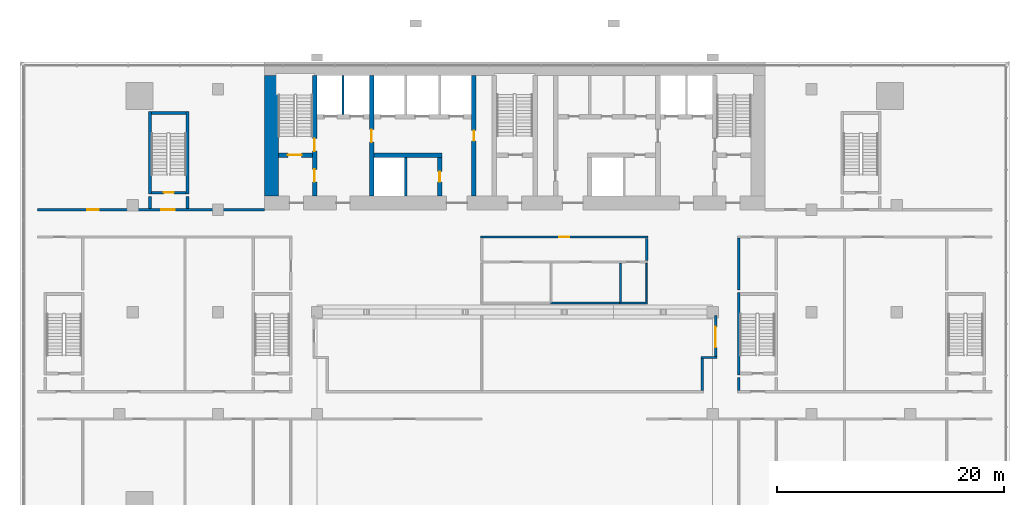
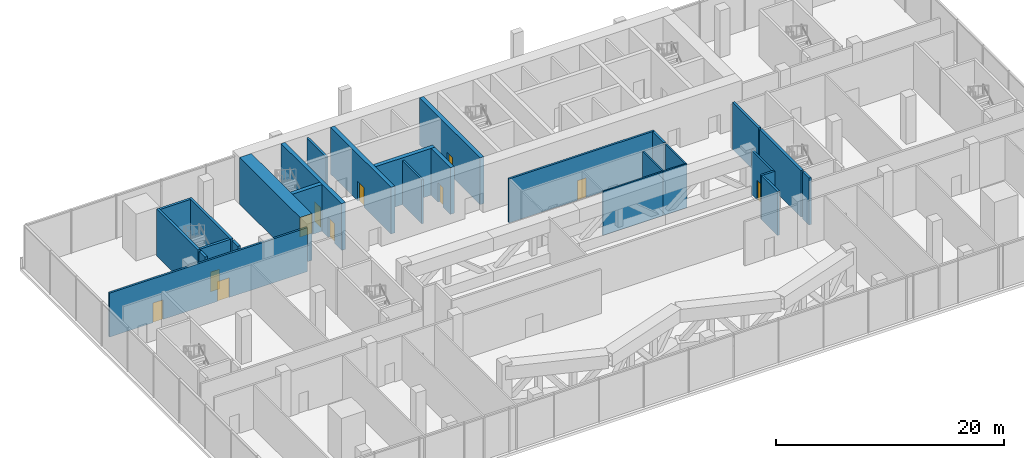
# One storey, part 14 of 22: 28 walls, 11 doors, 11 openings.
"""IFC4 building model written with IfcOpenShell, lengths in metres."""

import ifcopenshell
import ifcopenshell.guid

model = None  # the IFC model being written
_history = None  # IfcOwnerHistory: only IFC2X3 demands one
_inside = {}  # id of a spatial element -> (the spatial element, [elements in it])
_under = {}  # id of a project, library or spatial element -> (it, [spatial elements below it])
_declared = {}  # id of a project -> (the project, [libraries it declares])
_typed = {}  # id of a type object -> (the type object, [elements of that type])
_made_of = {}  # id of a material, layer set ... -> (it, [elements and type objects made of it])


def new_model(schema):
    """Start an empty IFC model of exactly this schema.

    Asked for "IFC4X3", IfcOpenShell would pick the latest addendum, in which some entities
    have other attributes; the version numbers below select the first issue.
    IFC2X3 requires an IfcOwnerHistory on every rooted entity: one is made here for all.
    """
    global model, _history
    if schema == "IFC4X3":
        model = ifcopenshell.file(schema_version=(4, 3, 0, 0))
    else:
        model = ifcopenshell.file(schema=schema)
    _inside.clear()
    _under.clear()
    _declared.clear()
    _typed.clear()
    _made_of.clear()
    _history = None
    if model.schema == "IFC2X3":
        org = make("IfcOrganization", Name="unknown")
        user = make(
            "IfcPersonAndOrganization",
            ThePerson=make("IfcPerson", FamilyName="unknown"),
            TheOrganization=org,
        )
        app = make(
            "IfcApplication",
            ApplicationDeveloper=org,
            Version="unknown",
            ApplicationFullName="unknown",
            ApplicationIdentifier="unknown",
        )
        _history = make(
            "IfcOwnerHistory",
            OwningUser=user,
            OwningApplication=app,
            ChangeAction="ADDED",
            CreationDate=0,
        )
    return model


def make(cls, **values):
    """One entity of the class cls with the attributes given. An attribute that is None is left unset."""
    return model.create_entity(
        cls, **{name: value for name, value in values.items() if value is not None}
    )


def rooted(cls, **values):
    """An entity with a GlobalId (a new one), such as an element, a storey or a relation."""
    return make(cls, GlobalId=ifcopenshell.guid.new(), OwnerHistory=_history, **values)


def si_unit(unit_type, name, prefix=None):
    """IfcSIUnit, for example si_unit("LENGTHUNIT", "METRE", prefix="MILLI")."""
    return make("IfcSIUnit", UnitType=unit_type, Prefix=prefix, Name=name)


def assignment(units):
    """IfcUnitAssignment: the units of a project."""
    return None if units is None else make("IfcUnitAssignment", Units=units)


def point(xyz):
    """IfcCartesianPoint."""
    return None if xyz is None else make("IfcCartesianPoint", Coordinates=xyz)


def direction(xyz):
    """IfcDirection."""
    return None if xyz is None else make("IfcDirection", DirectionRatios=xyz)


def frame(location, z_axis=None, x_axis=None):
    """IfcAxis2Placement3D, a coordinate frame: its origin and axes. An axis left out is left unset."""
    return make(
        "IfcAxis2Placement3D",
        Location=point(location),
        Axis=direction(z_axis),
        RefDirection=direction(x_axis),
    )


def frame_2d(location, x_axis=None):
    """IfcAxis2Placement2D, a coordinate frame in the plane: its origin and x axis."""
    return make(
        "IfcAxis2Placement2D", Location=point(location), RefDirection=direction(x_axis)
    )


def origin():
    """The frame at (0, 0, 0) with its axes left unset."""
    return frame((0.0, 0.0, 0.0))


def place(relative_to, where):
    """IfcLocalPlacement: puts the frame where relative to a parent placement (None: the world)."""
    return make(
        "IfcLocalPlacement", PlacementRelTo=relative_to, RelativePlacement=where
    )


def context(
    kind, dimensions, precision=None, world=None, true_north=None, identifier=None
):
    """IfcGeometricRepresentationContext, for example the 3D "Model" context."""
    return make(
        "IfcGeometricRepresentationContext",
        ContextIdentifier=identifier,
        ContextType=kind,
        CoordinateSpaceDimension=dimensions,
        Precision=precision,
        WorldCoordinateSystem=world,
        TrueNorth=true_north,
    )


def subcontext(parent, identifier, kind, view, scale=None):
    """IfcGeometricRepresentationSubContext, for example "Body" below "Model"."""
    return make(
        "IfcGeometricRepresentationSubContext",
        ContextIdentifier=identifier,
        ContextType=kind,
        ParentContext=parent,
        TargetScale=scale,
        TargetView=view,
    )


def project(units=None, contexts=None):
    """IfcProject with its units and contexts."""
    return rooted(
        "IfcProject",
        Name="project",
        RepresentationContexts=contexts,
        UnitsInContext=assignment(units),
    )


def spatial(cls, under=None, at=None, **own):
    """A site, building, storey or space (cls), placed at a placement, below another one or the project."""
    s = rooted(cls, ObjectPlacement=at, **own)
    if under is not None:
        _under.setdefault(under.id(), (under, []))[1].append(s)
    return s


def profile(cls, at=None, kind="AREA", **sizes):
    """A parametric profile (cls). Its sizes go by their IFC names, for example OverallWidth=200.0."""
    return make(cls, ProfileType=kind, Position=at, **sizes)


def rectangle(**sizes):
    """IfcRectangleProfileDef."""
    return profile("IfcRectangleProfileDef", **sizes)


def extrude(swept, where, along, depth):
    """IfcExtrudedAreaSolid: the profile swept, set in the frame where, extruded along a direction by depth."""
    return make(
        "IfcExtrudedAreaSolid",
        SweptArea=swept,
        Position=where,
        ExtrudedDirection=direction(along),
        Depth=depth,
    )


def shape(context_of_items, identifier, shape_type, items):
    """IfcShapeRepresentation: the items that make up one representation, for example the "Body"."""
    return make(
        "IfcShapeRepresentation",
        ContextOfItems=context_of_items,
        RepresentationIdentifier=identifier,
        RepresentationType=shape_type,
        Items=items,
    )


def material(Name=None, Category=None):
    """IfcMaterial."""
    return make("IfcMaterial", Name=Name, Category=Category)


def layer(
    of_material, thickness, ventilated=None, Name=None, Category=None, Priority=None
):
    """IfcMaterialLayer: one layer of a wall or slab, of a material (None: an air gap)."""
    return make(
        "IfcMaterialLayer",
        Material=of_material,
        LayerThickness=thickness,
        IsVentilated=ventilated,
        Name=Name,
        Category=Category,
        Priority=Priority,
    )


def layer_set(layers, Name=None):
    """IfcMaterialLayerSet."""
    return make("IfcMaterialLayerSet", MaterialLayers=layers, LayerSetName=Name)


def made_of(thing, what):
    """Note that an element or type object is made of a material, layer set ...; save() writes the relation."""
    if what is not None:
        _made_of.setdefault(what.id(), (what, []))[1].append(thing)
    return thing


def type_object(cls, material=None, **own):
    """A type object (cls), such as IfcWallType, which elements share."""
    return made_of(rooted(cls, **own), material)


def element(
    cls,
    number,
    at=None,
    inside=None,
    cuts=None,
    type_object=None,
    material=None,
    context=None,
    identifier="Body",
    shape_type=None,
    held_by="IfcProductDefinitionShape",
    body=None,
    shapes=None,
    **own,
):
    """One element of the class cls, such as IfcWall. Its Tag is "e" and its number.

    at: its placement. inside: the storey or other place that contains it. cuts: it is an
    opening in that element (IfcRelVoidsElement). A single representation is given by context,
    identifier, shape_type and body (its items); several are given by shapes. held_by: the class
    of the entity that holds the representations. save() writes the other relations.
    """
    e = rooted(cls, Tag="e%d" % number, ObjectPlacement=at, **own)
    if body is not None:
        shapes = [shape(context, identifier, shape_type, body)]
    if shapes is not None:
        e.Representation = make(held_by, Representations=shapes)
    if inside is not None:
        _inside.setdefault(inside.id(), (inside, []))[1].append(e)
    if cuts is not None:
        rooted(
            "IfcRelVoidsElement", RelatingBuildingElement=cuts, RelatedOpeningElement=e
        )
    if type_object is not None:
        _typed.setdefault(type_object.id(), (type_object, []))[1].append(e)
    return made_of(e, material)


def fill(opening, filler):
    """IfcRelFillsElement: the door or window that sits in an opening."""
    return rooted(
        "IfcRelFillsElement",
        RelatingOpeningElement=opening,
        RelatedBuildingElement=filler,
    )


def aggregate(whole, parts):
    """IfcRelAggregates: a whole, such as a stair, and the parts it consists of."""
    return rooted("IfcRelAggregates", RelatingObject=whole, RelatedObjects=parts)


def save(model, path):
    """Write the relations noted so far, then the file.

    IfcRelAggregates (storeys below a building ...), IfcRelContainedInSpatialStructure (elements
    in a storey), IfcRelDefinesByType, IfcRelAssociatesMaterial and IfcRelDeclares: one each for
    every whole, place, type object, material and project.
    """
    for whole, parts in _under.values():
        aggregate(whole, parts)
    for where, things in _inside.values():
        rooted(
            "IfcRelContainedInSpatialStructure",
            RelatedElements=things,
            RelatingStructure=where,
        )
    for kind, things in _typed.values():
        rooted("IfcRelDefinesByType", RelatedObjects=things, RelatingType=kind)
    for what, things in _made_of.values():
        rooted("IfcRelAssociatesMaterial", RelatedObjects=things, RelatingMaterial=what)
    for by, libraries in _declared.values():
        rooted("IfcRelDeclares", RelatingContext=by, RelatedDefinitions=libraries)
    model.write(path)


model = new_model("IFC4")

# Units and contexts
model_context = context("Model", 3, precision=1e-05, world=origin(), true_north=direction((0.0, 1.0)))
body_context = subcontext(model_context, "Body", "Model", "MODEL_VIEW")
ifc_project = project(units=[si_unit("LENGTHUNIT", "METRE"), si_unit("AREAUNIT", "SQUARE_METRE"), si_unit("VOLUMEUNIT", "CUBIC_METRE"), si_unit("PLANEANGLEUNIT", "RADIAN"), si_unit("MASSUNIT", "GRAM", prefix="KILO")], contexts=[model_context])

# Site, building, storey
site_placement = place(None, origin())
site = spatial("IfcSite", under=ifc_project, at=site_placement, CompositionType="ELEMENT")
building_placement = place(site_placement, origin())
building = spatial("IfcBuilding", under=site, at=building_placement, Name="Bicima Exchange Tower", CompositionType="ELEMENT")
storey_placement = place(building_placement, frame((0.0, 0.0, 20.0)))
storey = spatial("IfcBuildingStorey", under=building, at=storey_placement, Name="L03", CompositionType="ELEMENT", Elevation=20.0)

# Walls
ifc_material_1 = material(Name="Gypsum board partition")
ifc_layer_1 = layer(ifc_material_1, 0.199951171875)
ifc_layer_set_1 = layer_set([ifc_layer_1], Name="Gypsum board partition")
wall_type_1 = type_object("IfcWallType", Name="Fire-rated gypsum partition 200 EI120", PredefinedType="PARTITIONING", material=ifc_layer_set_1)
for number, where, z_axis, x_axis, name in (
    (1, (-15.10009765625, -4.60009765625, 0.0), (0.0, 0.0, 1.0), (0.0, 1.0, 0.0), "partition wall 9"),
    (2, (-9.60009765625, -11.800048828125, 0.0), (0.0, 0.0, 1.0), (0.0, 1.0, 0.0), "partition wall 11"),
):
    element("IfcWall", number, at=place(storey_placement, frame(where, z_axis=z_axis, x_axis=x_axis)), inside=storey, type_object=wall_type_1, Name=name, PredefinedType="PARTITIONING", context=body_context, shape_type="SweptSolid", body=[
        extrude(rectangle(XDim=3.400146484375, YDim=0.199951171875, at=frame_2d((1.7001953125, 0.0))), origin(), (0.0, 0.0, 1.0), 4.699951171875),
    ])
ifc_layer_2 = layer(ifc_material_1, 0.199951171875)
ifc_layer_set_2 = layer_set([ifc_layer_2], Name="Gypsum board partition")
wall_type_2 = type_object("IfcWallType", Name="Fire-rated gypsum partition 200 EI60", PredefinedType="PARTITIONING", material=ifc_layer_set_2)
wall_1_placement = place(storey_placement, frame((16.39990234375, -26.0, 0.0), z_axis=(0.0, 0.0, 1.0), x_axis=(1.0, 0.0, 0.0)))
element("IfcWall", 3, at=wall_1_placement, inside=storey, type_object=wall_type_2, Name="partition wall 11", PredefinedType="PARTITIONING", context=body_context, shape_type="SweptSolid", body=[
    extrude(rectangle(XDim=1.3701171875, YDim=0.199951171875, at=frame_2d((0.68505859375, 0.0))), origin(), (0.0, 0.0, 1.0), 4.699951171875),
])

# Wall, opening, door
wall_2_placement = place(storey_placement, frame((-3.0, -15.39990234375, 0.0), z_axis=(0.0, 0.0, 1.0), x_axis=(1.0, 0.0, 0.0)))
wall_2 = element("IfcWall", 4, at=wall_2_placement, inside=storey, type_object=wall_type_2, Name="partition wall 21", PredefinedType="PARTITIONING", context=body_context, shape_type="SweptSolid", body=[
    extrude(rectangle(XDim=14.699951171875, YDim=0.199951171875, at=frame_2d((7.35009765625, 0.0))), origin(), (0.0, 0.0, 1.0), 4.699951171875),
])
opening_1_placement = place(wall_2_placement, frame((6.89990234375, 0.0, 0.0)))
opening_1 = element("IfcOpeningElement", 5, at=opening_1_placement, cuts=wall_2, Name="Opening L03-025", PredefinedType="OPENING", context=body_context, shape_type="SweptSolid", body=[
    extrude(rectangle(XDim=0.89990234375, YDim=2.10009765625, at=frame_2d((0.449951171875, 1.050048828125))), frame((0.0, 0.11181640625, 0.0), z_axis=(0.0, -1.0, 0.0), x_axis=(1.0, 0.0, 0.0)), (0.0, 0.0, 1.0), 0.223876953125),
])
ifc_material_2 = material(Name="Steel fire door leaf", Category="steel")
door_type_1 = type_object("IfcDoorType", Name="Door 900 swing FD30S", OperationType="SINGLE_SWING_LEFT", PredefinedType="DOOR", material=ifc_material_2)
door_1_placement = place(opening_1_placement, frame((0.89990234375, 0.0, 0.0), z_axis=(0.0, 0.0, 1.0), x_axis=(-1.0, 0.0, 0.0)))
door_1 = element("IfcDoor", 6, at=door_1_placement, inside=storey, type_object=door_type_1, Name="Door", OperationType="SINGLE_SWING_LEFT", OverallHeight=2.10009765625, OverallWidth=0.89990234375, PredefinedType="DOOR", context=body_context, shape_type="SweptSolid", body=[
    extrude(rectangle(XDim=0.89990234375, YDim=2.10009765625, at=frame_2d((0.449951171875, 1.050048828125))), frame((0.0, 0.02490234375, 0.0), z_axis=(0.0, -1.0, 0.0), x_axis=(1.0, 0.0, 0.0)), (0.0, 0.0, 1.0), 0.050048828125),
])
fill(opening_1, door_1)

# Wall, openings, doors
wall_3_placement = place(storey_placement, frame((-42.0, -13.0, 0.0), z_axis=(0.0, 0.0, 1.0), x_axis=(1.0, 0.0, 0.0)))
wall_3 = element("IfcWall", 7, at=wall_3_placement, inside=storey, type_object=wall_type_2, Name="partition wall 23", PredefinedType="PARTITIONING", context=body_context, shape_type="SweptSolid", body=[
    extrude(rectangle(XDim=20.0, YDim=0.199951171875, at=frame_2d((10.0, 0.0))), origin(), (0.0, 0.0, 1.0), 4.699951171875),
])
opening_2_placement = place(wall_3_placement, frame((10.89990234375, 0.0, 0.0)))
opening_2 = element("IfcOpeningElement", 8, at=opening_2_placement, cuts=wall_3, Name="Opening L03-009", PredefinedType="OPENING", context=body_context, shape_type="SweptSolid", body=[
    extrude(rectangle(XDim=1.199951171875, YDim=2.10009765625, at=frame_2d((0.60009765625, 1.050048828125))), frame((0.0, 0.11181640625, 0.0), z_axis=(0.0, -1.0, 0.0), x_axis=(1.0, 0.0, 0.0)), (0.0, 0.0, 1.0), 0.223876953125),
])
opening_3_placement = place(wall_3_placement, frame((4.39990234375, 0.0, 0.0)))
opening_3 = element("IfcOpeningElement", 9, at=opening_3_placement, cuts=wall_3, Name="Opening L03-013", PredefinedType="OPENING", context=body_context, shape_type="SweptSolid", body=[
    extrude(rectangle(XDim=1.0, YDim=2.10009765625, at=frame_2d((0.5, 1.050048828125))), frame((0.0, 0.11181640625, 0.0), z_axis=(0.0, -1.0, 0.0), x_axis=(1.0, 0.0, 0.0)), (0.0, 0.0, 1.0), 0.223876953125),
])
door_type_2 = type_object("IfcDoorType", Name="Door 1000 swing FD30S", OperationType="SINGLE_SWING_LEFT", PredefinedType="DOOR", material=ifc_material_2)
door_2_placement = place(opening_3_placement, origin())
door_2 = element("IfcDoor", 10, at=door_2_placement, inside=storey, type_object=door_type_2, Name="Door", OperationType="SINGLE_SWING_LEFT", OverallHeight=2.10009765625, OverallWidth=1.0, PredefinedType="DOOR", context=body_context, shape_type="SweptSolid", body=[
    extrude(rectangle(XDim=1.0, YDim=2.10009765625, at=frame_2d((0.5, 1.050048828125))), frame((0.0, 0.02490234375, 0.0), z_axis=(0.0, -1.0, 0.0), x_axis=(1.0, 0.0, 0.0)), (0.0, 0.0, 1.0), 0.050048828125),
])
fill(opening_3, door_2)
door_type_3 = type_object("IfcDoorType", Name="Door 1200 swing FD30S", OperationType="SINGLE_SWING_LEFT", PredefinedType="DOOR", material=ifc_material_2)
door_3_placement = place(opening_2_placement, origin())
door_3 = element("IfcDoor", 11, at=door_3_placement, inside=storey, type_object=door_type_3, Name="Door", OperationType="SINGLE_SWING_RIGHT", OverallHeight=2.10009765625, OverallWidth=1.199951171875, PredefinedType="DOOR", context=body_context, shape_type="SweptSolid", body=[
    extrude(rectangle(XDim=1.199951171875, YDim=2.10009765625, at=frame_2d((0.60009765625, 1.050048828125))), frame((0.0, 0.02490234375, 0.0), z_axis=(0.0, -1.0, 0.0), x_axis=(1.0, 0.0, 0.0)), (0.0, 0.0, 1.0), 0.050048828125),
])
fill(opening_2, door_3)

# Walls
wall_4_placement = place(storey_placement, frame((11.60009765625, -17.47998046875, 0.0), z_axis=(0.0, 0.0, 1.0), x_axis=(0.0, 1.0, 0.0)))
element("IfcWall", 12, at=wall_4_placement, inside=storey, type_object=wall_type_2, Name="partition wall 50", PredefinedType="PARTITIONING", context=body_context, shape_type="SweptSolid", body=[
    extrude(rectangle(XDim=1.9599609375, YDim=0.199951171875, at=frame_2d((0.97998046875, 0.0))), origin(), (0.0, 0.0, 1.0), 4.699951171875),
])
wall_5_placement = place(storey_placement, frame((16.5, -28.89990234375, 0.0), z_axis=(0.0, 0.0, 1.0), x_axis=(0.0, 1.0, 0.0)))
element("IfcWall", 13, at=wall_5_placement, inside=storey, type_object=wall_type_2, Name="partition wall 51", PredefinedType="PARTITIONING", context=body_context, shape_type="SweptSolid", body=[
    extrude(rectangle(XDim=2.7998046875, YDim=0.199951171875, at=frame_2d((1.39990234375, 0.0))), origin(), (0.0, 0.0, 1.0), 4.699951171875),
])

# Wall, opening, door
wall_6_placement = place(storey_placement, frame((17.669921875, -25.89990234375, 0.0), z_axis=(0.0, 0.0, 1.0), x_axis=(0.0, 1.0, 0.0)))
wall_6 = element("IfcWall", 14, at=wall_6_placement, inside=storey, type_object=wall_type_2, Name="partition wall 52", PredefinedType="PARTITIONING", context=body_context, shape_type="SweptSolid", body=[
    extrude(rectangle(XDim=3.60986328125, YDim=0.199951171875, at=frame_2d((1.804931640625, 0.0))), origin(), (0.0, 0.0, 1.0), 4.699951171875),
])
opening_4_placement = place(wall_6_placement, frame((0.800048828125, 0.0, 0.0)))
opening_4 = element("IfcOpeningElement", 15, at=opening_4_placement, cuts=wall_6, Name="Opening L03-029", PredefinedType="OPENING", context=body_context, shape_type="SweptSolid", body=[
    extrude(rectangle(XDim=1.800048828125, YDim=2.10009765625, at=frame_2d((0.89990234375, 1.050048828125))), frame((0.0, 0.11181640625, 0.0), z_axis=(0.0, -1.0, 0.0), x_axis=(1.0, 0.0, 0.0)), (0.0, 0.0, 1.0), 0.223876953125),
])
door_type_4 = type_object("IfcDoorType", Name="Door 1800 double swing FD30S", OperationType="DOUBLE_DOOR_SINGLE_SWING", PredefinedType="DOOR", material=ifc_material_2)
door_4_placement = place(opening_4_placement, origin())
door_4 = element("IfcDoor", 16, at=door_4_placement, inside=storey, type_object=door_type_4, Name="Door", OperationType="SINGLE_SWING_LEFT", OverallHeight=2.10009765625, OverallWidth=1.800048828125, PredefinedType="DOOR", context=body_context, shape_type="SweptSolid", body=[
    extrude(rectangle(XDim=1.800048828125, YDim=2.10009765625, at=frame_2d((0.89990234375, 1.050048828125))), frame((0.0, 0.02490234375, 0.0), z_axis=(0.0, -1.0, 0.0), x_axis=(1.0, 0.0, 0.0)), (0.0, 0.0, 1.0), 0.050048828125),
])
fill(opening_4, door_4)

# Walls
ifc_layer_3 = layer(ifc_material_1, 0.14990234375)
ifc_layer_set_3 = layer_set([ifc_layer_3], Name="Gypsum board partition")
wall_type_3 = type_object("IfcWallType", Name="Gypsum partition 150", PredefinedType="PARTITIONING", material=ifc_layer_set_3)
wall_7_placement = place(storey_placement, frame((3.14501953125, -21.199951171875, 0.0), z_axis=(0.0, 0.0, 1.0), x_axis=(1.0, 0.0, 0.0)))
element("IfcWall", 17, at=wall_7_placement, inside=storey, type_object=wall_type_3, Name="partition wall 13", PredefinedType="PARTITIONING", context=body_context, shape_type="SweptSolid", body=[
    extrude(rectangle(XDim=6.2099609375, YDim=0.14990234375, at=frame_2d((3.10498046875, 0.0))), origin(), (0.0, 0.0, 1.0), 4.699951171875),
])
wall_8_placement = place(storey_placement, frame((9.2451171875, -21.199951171875, 0.0), z_axis=(0.0, 0.0, 1.0), x_axis=(1.0, 0.0, 0.0)))
element("IfcWall", 18, at=wall_8_placement, inside=storey, type_object=wall_type_3, Name="partition wall 14", PredefinedType="PARTITIONING", context=body_context, shape_type="SweptSolid", body=[
    extrude(rectangle(XDim=2.429931640625, YDim=0.14990234375, at=frame_2d((1.21484375, 0.0))), origin(), (0.0, 0.0, 1.0), 4.699951171875),
])
wall_9_placement = place(storey_placement, frame((9.300048828125, -21.125, 0.0), z_axis=(0.0, 0.0, 1.0), x_axis=(0.0, 1.0, 0.0)))
element("IfcWall", 19, at=wall_9_placement, inside=storey, type_object=wall_type_3, Name="partition wall 48", PredefinedType="PARTITIONING", context=body_context, shape_type="SweptSolid", body=[
    extrude(rectangle(XDim=3.425048828125, YDim=0.14990234375, at=frame_2d((1.71240234375, 0.0))), origin(), (0.0, 0.0, 1.0), 4.699951171875),
])
wall_10_placement = place(storey_placement, frame((11.60009765625, -21.125, 0.0), z_axis=(0.0, 0.0, 1.0), x_axis=(0.0, 1.0, 0.0)))
element("IfcWall", 20, at=wall_10_placement, inside=storey, type_object=wall_type_3, Name="partition wall 49", PredefinedType="PARTITIONING", context=body_context, shape_type="SweptSolid", body=[
    extrude(rectangle(XDim=3.405029296875, YDim=0.14990234375, at=frame_2d((1.70263671875, 0.0))), origin(), (0.0, 0.0, 1.0), 4.699951171875),
])
ifc_material_3 = material(Name="Concrete C60/75", Category="concrete")
ifc_layer_4 = layer(ifc_material_3, 1.199951171875)
ifc_layer_set_4 = layer_set([ifc_layer_4], Name="Concrete C60/75")
wall_type_4 = type_object("IfcWallType", Name="RC core wall 1200 C60/75", PredefinedType="SHEAR", material=ifc_layer_set_4)
wall_11_placement = place(storey_placement, frame((-21.39990234375, -11.800048828125, 0.0), z_axis=(0.0, 0.0, 1.0), x_axis=(0.0, 1.0, 0.0)))
element("IfcWall", 21, at=wall_11_placement, inside=storey, type_object=wall_type_4, Name="Core wall west", PredefinedType="SHEAR", context=body_context, shape_type="SweptSolid", body=[
    extrude(rectangle(XDim=10.60009765625, YDim=1.199951171875, at=frame_2d((5.300048828125, 0.0))), origin(), (0.0, 0.0, 1.0), 5.0),
])
ifc_material_4 = material(Name="Concrete C50/60", Category="concrete")
ifc_layer_5 = layer(ifc_material_4, 0.25)
ifc_layer_set_5 = layer_set([ifc_layer_5], Name="Concrete C50/60")
wall_type_5 = type_object("IfcWallType", Name="RC core wall 250 C50/60", PredefinedType="SHEAR", material=ifc_layer_set_5)
for number, where, z_axis, x_axis, name in (
    (22, (-32.10009765625, -12.89990234375, 0.0), (0.0, 0.0, 1.0), (0.0, 1.0, 0.0), "stair wall 34"),
    (23, (-28.800048828125, -12.89990234375, 0.0), (0.0, 0.0, 1.0), (0.0, 1.0, 0.0), "stair wall 37"),
):
    element("IfcWall", number, at=place(storey_placement, frame(where, z_axis=z_axis, x_axis=x_axis)), inside=storey, type_object=wall_type_5, Name=name, PredefinedType="SHEAR", context=body_context, shape_type="SweptSolid", body=[
        extrude(rectangle(XDim=1.0498046875, YDim=0.25, at=frame_2d((0.52490234375, 0.0))), origin(), (0.0, 0.0, 1.0), 5.0),
    ])
wall_12_placement = place(storey_placement, frame((19.699951171875, -28.89990234375, 0.0), z_axis=(0.0, 0.0, 1.0), x_axis=(0.0, 1.0, 0.0)))
element("IfcWall", 24, at=wall_12_placement, inside=storey, type_object=wall_type_5, Name="stair wall 54", PredefinedType="SHEAR", context=body_context, shape_type="SweptSolid", body=[
    extrude(rectangle(XDim=1.14990234375, YDim=0.25, at=frame_2d((0.574951171875, 0.0))), origin(), (0.0, 0.0, 1.0), 5.0),
])
wall_13_placement = place(storey_placement, frame((19.699951171875, -20.050048828125, 0.0), z_axis=(0.0, 0.0, 1.0), x_axis=(0.0, 1.0, 0.0)))
element("IfcWall", 25, at=wall_13_placement, inside=storey, type_object=wall_type_5, Name="stair wall 54", PredefinedType="SHEAR", context=body_context, shape_type="SweptSolid", body=[
    extrude(rectangle(XDim=4.550048828125, YDim=0.25, at=frame_2d((2.27490234375, 0.0))), origin(), (0.0, 0.0, 1.0), 5.0),
])

# Wall, opening, door
ifc_layer_6 = layer(ifc_material_4, 0.39990234375)
ifc_layer_set_6 = layer_set([ifc_layer_6], Name="Concrete C50/60")
wall_type_6 = type_object("IfcWallType", Name="RC core wall 400 C50/60", PredefinedType="SHEAR", material=ifc_layer_set_6)
wall_14_placement = place(storey_placement, frame((-20.800048828125, -8.199951171875, 0.0), z_axis=(0.0, 0.0, 1.0), x_axis=(1.0, 0.0, 0.0)))
wall_14 = element("IfcWall", 26, at=wall_14_placement, inside=storey, type_object=wall_type_6, Name="stair wall 1", PredefinedType="SHEAR", context=body_context, shape_type="SweptSolid", body=[
    extrude(rectangle(XDim=3.0, YDim=0.39990234375, at=frame_2d((1.5, 0.0))), origin(), (0.0, 0.0, 1.0), 5.0),
])
opening_5_placement = place(wall_14_placement, frame((0.85009765625, 0.0, 0.0)))
opening_5 = element("IfcOpeningElement", 27, at=opening_5_placement, cuts=wall_14, Name="Opening L03-C01", PredefinedType="OPENING", context=body_context, shape_type="SweptSolid", body=[
    extrude(rectangle(XDim=1.199951171875, YDim=2.10009765625, at=frame_2d((0.60009765625, 1.050048828125))), frame((0.0, 0.2119140625, 0.0), z_axis=(0.0, -1.0, 0.0), x_axis=(1.0, 0.0, 0.0)), (0.0, 0.0, 1.0), 0.423828125),
])
door_type_5 = type_object("IfcDoorType", Name="Door 1200 swing FD60S", OperationType="SINGLE_SWING_LEFT", PredefinedType="DOOR", material=ifc_material_2)
door_5_placement = place(opening_5_placement, origin())
door_5 = element("IfcDoor", 28, at=door_5_placement, inside=storey, type_object=door_type_5, Name="Core door", OperationType="SINGLE_SWING_LEFT", OverallHeight=2.10009765625, OverallWidth=1.199951171875, PredefinedType="DOOR", context=body_context, shape_type="SweptSolid", body=[
    extrude(rectangle(XDim=1.199951171875, YDim=2.10009765625, at=frame_2d((0.60009765625, 1.050048828125))), frame((0.0, 0.02490234375, 0.0), z_axis=(0.0, -1.0, 0.0), x_axis=(1.0, 0.0, 0.0)), (0.0, 0.0, 1.0), 0.050048828125),
])
fill(opening_5, door_5)

# Wall, openings, doors
wall_15_placement = place(storey_placement, frame((-17.60009765625, -11.800048828125, 0.0), z_axis=(0.0, 0.0, 1.0), x_axis=(0.0, 1.0, 0.0)))
wall_15 = element("IfcWall", 29, at=wall_15_placement, inside=storey, type_object=wall_type_6, Name="stair wall 8", PredefinedType="SHEAR", context=body_context, shape_type="SweptSolid", body=[
    extrude(rectangle(XDim=10.60009765625, YDim=0.39990234375, at=frame_2d((5.300048828125, 0.0))), origin(), (0.0, 0.0, 1.0), 5.0),
])
opening_6_placement = place(wall_15_placement, frame((1.25, 0.0, 0.0)))
opening_6 = element("IfcOpeningElement", 30, at=opening_6_placement, cuts=wall_15, Name="Opening L03-C02", PredefinedType="OPENING", context=body_context, shape_type="SweptSolid", body=[
    extrude(rectangle(XDim=1.10009765625, YDim=2.10009765625, at=frame_2d((0.550048828125, 1.050048828125))), frame((0.0, 0.2119140625, 0.0), z_axis=(0.0, -1.0, 0.0), x_axis=(1.0, 0.0, 0.0)), (0.0, 0.0, 1.0), 0.423828125),
])
opening_7_placement = place(wall_15_placement, frame((3.949951171875, 0.0, 0.0)))
opening_7 = element("IfcOpeningElement", 31, at=opening_7_placement, cuts=wall_15, Name="Opening L03-C06", PredefinedType="OPENING", context=body_context, shape_type="SweptSolid", body=[
    extrude(rectangle(XDim=1.10009765625, YDim=2.10009765625, at=frame_2d((0.550048828125, 1.050048828125))), frame((0.0, 0.2119140625, 0.0), z_axis=(0.0, -1.0, 0.0), x_axis=(1.0, 0.0, 0.0)), (0.0, 0.0, 1.0), 0.423828125),
])
door_type_6 = type_object("IfcDoorType", Name="Door 1100 swing FD60S", OperationType="SINGLE_SWING_LEFT", PredefinedType="DOOR", material=ifc_material_2)
door_6_placement = place(opening_6_placement, frame((1.10009765625, 0.0, 0.0), z_axis=(0.0, 0.0, 1.0), x_axis=(-1.0, 0.0, 0.0)))
door_6 = element("IfcDoor", 32, at=door_6_placement, inside=storey, type_object=door_type_6, Name="Core door", OperationType="SINGLE_SWING_LEFT", OverallHeight=2.10009765625, OverallWidth=1.10009765625, PredefinedType="DOOR", context=body_context, shape_type="SweptSolid", body=[
    extrude(rectangle(XDim=1.10009765625, YDim=2.10009765625, at=frame_2d((0.550048828125, 1.050048828125))), frame((0.0, 0.02490234375, 0.0), z_axis=(0.0, -1.0, 0.0), x_axis=(1.0, 0.0, 0.0)), (0.0, 0.0, 1.0), 0.050048828125),
])
fill(opening_6, door_6)
door_7_placement = place(opening_7_placement, frame((1.10009765625, 0.0, 0.0), z_axis=(0.0, 0.0, 1.0), x_axis=(-1.0, 0.0, 0.0)))
door_7 = element("IfcDoor", 33, at=door_7_placement, inside=storey, type_object=door_type_6, Name="Core door", OperationType="SINGLE_SWING_LEFT", OverallHeight=2.10009765625, OverallWidth=1.10009765625, PredefinedType="DOOR", context=body_context, shape_type="SweptSolid", body=[
    extrude(rectangle(XDim=1.10009765625, YDim=2.10009765625, at=frame_2d((0.550048828125, 1.050048828125))), frame((0.0, 0.02490234375, 0.0), z_axis=(0.0, -1.0, 0.0), x_axis=(1.0, 0.0, 0.0)), (0.0, 0.0, 1.0), 0.050048828125),
])
fill(opening_7, door_7)

# Wall
ifc_layer_7 = layer(ifc_material_3, 0.39990234375)
ifc_layer_set_7 = layer_set([ifc_layer_7], Name="Concrete C60/75")
wall_type_7 = type_object("IfcWallType", Name="RC core wall 400 C60/75", PredefinedType="SHEAR", material=ifc_layer_set_7)
wall_16_placement = place(storey_placement, frame((-12.39990234375, -8.199951171875, 0.0), z_axis=(0.0, 0.0, 1.0), x_axis=(1.0, 0.0, 0.0)))
element("IfcWall", 34, at=wall_16_placement, inside=storey, type_object=wall_type_7, Name="shear wall 2", PredefinedType="SHEAR", context=body_context, shape_type="SweptSolid", body=[
    extrude(rectangle(XDim=6.0, YDim=0.39990234375, at=frame_2d((3.0, 0.0))), origin(), (0.0, 0.0, 1.0), 5.0),
])

# Wall, opening, door
wall_17_placement = place(storey_placement, frame((-12.60009765625, -11.800048828125, 0.0), z_axis=(0.0, 0.0, 1.0), x_axis=(0.0, 1.0, 0.0)))
wall_17 = element("IfcWall", 35, at=wall_17_placement, inside=storey, type_object=wall_type_7, Name="shear wall 10", PredefinedType="SHEAR", context=body_context, shape_type="SweptSolid", body=[
    extrude(rectangle(XDim=10.60009765625, YDim=0.39990234375, at=frame_2d((5.300048828125, 0.0))), origin(), (0.0, 0.0, 1.0), 5.0),
])
opening_8_placement = place(wall_17_placement, frame((4.75, 0.0, 0.0)))
opening_8 = element("IfcOpeningElement", 36, at=opening_8_placement, cuts=wall_17, Name="Opening L03-C07", PredefinedType="OPENING", context=body_context, shape_type="SweptSolid", body=[
    extrude(rectangle(XDim=1.10009765625, YDim=2.10009765625, at=frame_2d((0.550048828125, 1.050048828125))), frame((0.0, 0.2119140625, 0.0), z_axis=(0.0, -1.0, 0.0), x_axis=(1.0, 0.0, 0.0)), (0.0, 0.0, 1.0), 0.423828125),
])
door_8_placement = place(opening_8_placement, origin())
door_8 = element("IfcDoor", 37, at=door_8_placement, inside=storey, type_object=door_type_6, Name="Core door", OperationType="SINGLE_SWING_LEFT", OverallHeight=2.10009765625, OverallWidth=1.10009765625, PredefinedType="DOOR", context=body_context, shape_type="SweptSolid", body=[
    extrude(rectangle(XDim=1.10009765625, YDim=2.10009765625, at=frame_2d((0.550048828125, 1.050048828125))), frame((0.0, 0.02490234375, 0.0), z_axis=(0.0, -1.0, 0.0), x_axis=(1.0, 0.0, 0.0)), (0.0, 0.0, 1.0), 0.050048828125),
])
fill(opening_8, door_8)

wall_18_placement = place(storey_placement, frame((-6.60009765625, -11.800048828125, 0.0), z_axis=(0.0, 0.0, 1.0), x_axis=(0.0, 1.0, 0.0)))
wall_18 = element("IfcWall", 38, at=wall_18_placement, inside=storey, type_object=wall_type_7, Name="shear wall 13", PredefinedType="SHEAR", context=body_context, shape_type="SweptSolid", body=[
    extrude(rectangle(XDim=3.400146484375, YDim=0.39990234375, at=frame_2d((1.7001953125, 0.0))), origin(), (0.0, 0.0, 1.0), 5.0),
])
opening_9_placement = place(wall_18_placement, frame((1.25, 0.0, 0.0)))
opening_9 = element("IfcOpeningElement", 39, at=opening_9_placement, cuts=wall_18, Name="Opening L03-C15", PredefinedType="OPENING", context=body_context, shape_type="SweptSolid", body=[
    extrude(rectangle(XDim=0.89990234375, YDim=2.10009765625, at=frame_2d((0.449951171875, 1.050048828125))), frame((0.0, 0.2119140625, 0.0), z_axis=(0.0, -1.0, 0.0), x_axis=(1.0, 0.0, 0.0)), (0.0, 0.0, 1.0), 0.423828125),
])
door_9_placement = place(opening_9_placement, origin())
door_9 = element("IfcDoor", 40, at=door_9_placement, inside=storey, type_object=door_type_1, Name="Core door", OperationType="SINGLE_SWING_LEFT", OverallHeight=2.10009765625, OverallWidth=0.89990234375, PredefinedType="DOOR", context=body_context, shape_type="SweptSolid", body=[
    extrude(rectangle(XDim=0.89990234375, YDim=2.10009765625, at=frame_2d((0.449951171875, 1.050048828125))), frame((0.0, 0.02490234375, 0.0), z_axis=(0.0, -1.0, 0.0), x_axis=(1.0, 0.0, 0.0)), (0.0, 0.0, 1.0), 0.050048828125),
])
fill(opening_9, door_9)

wall_19_placement = place(storey_placement, frame((-3.60009765625, -11.800048828125, 0.0), z_axis=(0.0, 0.0, 1.0), x_axis=(0.0, 1.0, 0.0)))
wall_19 = element("IfcWall", 41, at=wall_19_placement, inside=storey, type_object=wall_type_7, Name="shear wall 15", PredefinedType="SHEAR", context=body_context, shape_type="SweptSolid", body=[
    extrude(rectangle(XDim=10.60009765625, YDim=0.39990234375, at=frame_2d((5.300048828125, 0.0))), origin(), (0.0, 0.0, 1.0), 5.0),
])
opening_10_placement = place(wall_19_placement, frame((4.85009765625, 0.0, 0.0)))
opening_10 = element("IfcOpeningElement", 42, at=opening_10_placement, cuts=wall_19, Name="Opening L03-C10", PredefinedType="OPENING", context=body_context, shape_type="SweptSolid", body=[
    extrude(rectangle(XDim=0.89990234375, YDim=2.10009765625, at=frame_2d((0.449951171875, 1.050048828125))), frame((0.0, 0.2119140625, 0.0), z_axis=(0.0, -1.0, 0.0), x_axis=(1.0, 0.0, 0.0)), (0.0, 0.0, 1.0), 0.423828125),
])
door_10_placement = place(opening_10_placement, frame((0.89990234375, 0.0, 0.0), z_axis=(0.0, 0.0, 1.0), x_axis=(-1.0, 0.0, 0.0)))
door_10 = element("IfcDoor", 43, at=door_10_placement, inside=storey, type_object=door_type_1, Name="Core door", OperationType="SINGLE_SWING_LEFT", OverallHeight=2.10009765625, OverallWidth=0.89990234375, PredefinedType="DOOR", context=body_context, shape_type="SweptSolid", body=[
    extrude(rectangle(XDim=0.89990234375, YDim=2.10009765625, at=frame_2d((0.449951171875, 1.050048828125))), frame((0.0, 0.02490234375, 0.0), z_axis=(0.0, -1.0, 0.0), x_axis=(1.0, 0.0, 0.0)), (0.0, 0.0, 1.0), 0.050048828125),
])
fill(opening_10, door_10)

# Walls
ifc_layer_8 = layer(ifc_material_4, 0.25)
ifc_layer_set_8 = layer_set([ifc_layer_8], Name="Concrete C50/60")
wall_type_8 = type_object("IfcWallType", Name="RC stair enclosure wall 250 C50/60", PredefinedType="SHEAR", material=ifc_layer_set_8)
for number, where, z_axis, x_axis, name in (
    (44, (-32.10009765625, -11.625, 0.0), (0.0, 0.0, 1.0), (0.0, 1.0, 0.0), "West end exit stair wall W"),
    (45, (-28.800048828125, -11.625, 0.0), (0.0, 0.0, 1.0), (0.0, 1.0, 0.0), "West end exit stair wall E"),
):
    element("IfcWall", number, at=place(storey_placement, frame(where, z_axis=z_axis, x_axis=x_axis)), inside=storey, type_object=wall_type_8, Name=name, PredefinedType="SHEAR", context=body_context, shape_type="SweptSolid", body=[
        extrude(rectangle(XDim=7.25, YDim=0.25, at=frame_2d((3.625, 0.0))), origin(), (0.0, 0.0, 1.0), 5.0),
    ])

# Wall, opening, door
wall_20_placement = place(storey_placement, frame((-31.97509765625, -11.5, 0.0), z_axis=(0.0, 0.0, 1.0), x_axis=(1.0, 0.0, 0.0)))
wall_20 = element("IfcWall", 46, at=wall_20_placement, inside=storey, type_object=wall_type_8, Name="West end exit stair wall S", PredefinedType="SHEAR", context=body_context, shape_type="SweptSolid", body=[
    extrude(rectangle(XDim=3.050048828125, YDim=0.25, at=frame_2d((1.52490234375, 0.0))), origin(), (0.0, 0.0, 1.0), 5.0),
])
opening_11_placement = place(wall_20_placement, frame((1.10009765625, 0.0, 0.0)))
opening_11 = element("IfcOpeningElement", 47, at=opening_11_placement, cuts=wall_20, Name="Opening L03-010", PredefinedType="OPENING", context=body_context, shape_type="SweptSolid", body=[
    extrude(rectangle(XDim=0.89990234375, YDim=2.10009765625, at=frame_2d((0.449951171875, 1.050048828125))), frame((0.0, 0.136962890625, 0.0), z_axis=(0.0, -1.0, 0.0), x_axis=(1.0, 0.0, 0.0)), (0.0, 0.0, 1.0), 0.27392578125),
])
door_type_7 = type_object("IfcDoorType", Name="Door 900 swing FD60S", OperationType="SINGLE_SWING_LEFT", PredefinedType="DOOR", material=ifc_material_2)
door_11_placement = place(opening_11_placement, origin())
door_11 = element("IfcDoor", 48, at=door_11_placement, inside=storey, type_object=door_type_7, Name="Door", OperationType="SINGLE_SWING_LEFT", OverallHeight=2.10009765625, OverallWidth=0.89990234375, PredefinedType="DOOR", context=body_context, shape_type="SweptSolid", body=[
    extrude(rectangle(XDim=0.89990234375, YDim=2.10009765625, at=frame_2d((0.449951171875, 1.050048828125))), frame((0.0, 0.02490234375, 0.0), z_axis=(0.0, -1.0, 0.0), x_axis=(1.0, 0.0, 0.0)), (0.0, 0.0, 1.0), 0.050048828125),
])
fill(opening_11, door_11)

# Walls
wall_21_placement = place(storey_placement, frame((-31.97509765625, -4.5, 0.0), z_axis=(0.0, 0.0, 1.0), x_axis=(1.0, 0.0, 0.0)))
element("IfcWall", 49, at=wall_21_placement, inside=storey, type_object=wall_type_8, Name="West end exit stair wall N", PredefinedType="SHEAR", context=body_context, shape_type="SweptSolid", body=[
    extrude(rectangle(XDim=3.050048828125, YDim=0.25, at=frame_2d((1.52490234375, 0.0))), origin(), (0.0, 0.0, 1.0), 5.0),
])
wall_22_placement = place(storey_placement, frame((19.699951171875, -27.52490234375, 0.0), z_axis=(0.0, 0.0, 1.0), x_axis=(0.0, 1.0, 0.0)))
element("IfcWall", 50, at=wall_22_placement, inside=storey, type_object=wall_type_8, Name="Podium inner east stair wall W", PredefinedType="SHEAR", context=body_context, shape_type="SweptSolid", body=[
    extrude(rectangle(XDim=7.25, YDim=0.25, at=frame_2d((3.625, 0.0))), origin(), (0.0, 0.0, 1.0), 5.0),
])

save(model, "model.ifc")
